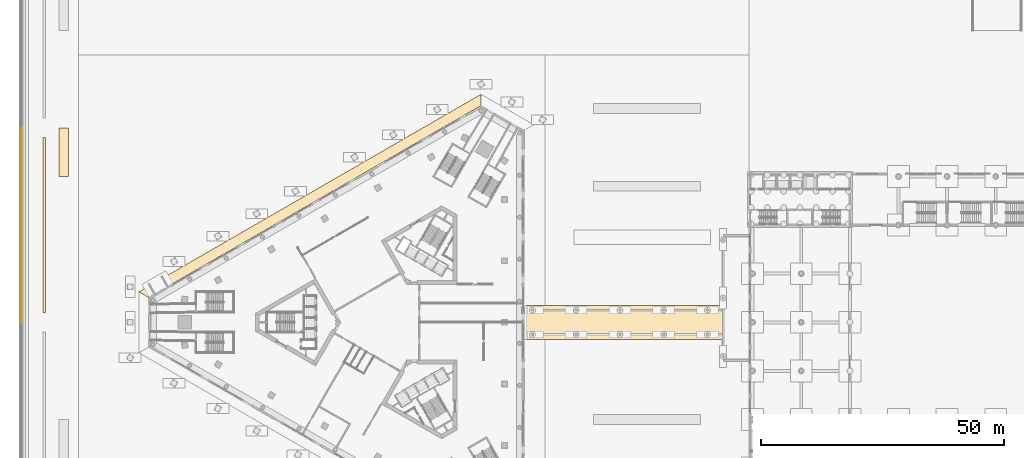
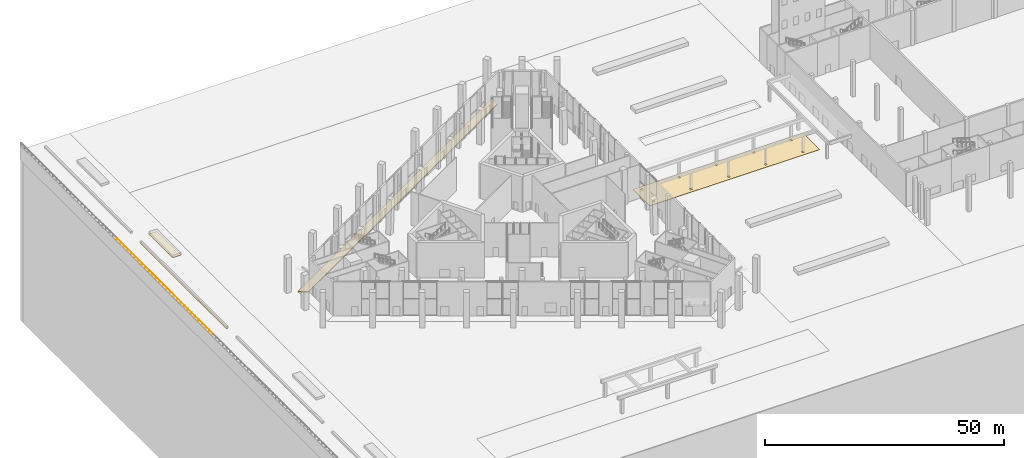
# One storey, part 49 of 63: 4 coverings, 1 railing.
"""IFC4 building model written with IfcOpenShell, lengths in metres."""

from ifc_helpers import new_model, si_unit, direction, frame, origin, origin_2d, place, context, subcontext, project, spatial, polyline, circle, outline, extrude, material, layer, layer_set, type_object, element, save


model = new_model("IFC4")

# Units and contexts
model_context = context("Model", 3, precision=1e-05, world=origin(), true_north=direction((0.0, 1.0)))
body_context = subcontext(model_context, "Body", "Model", "MODEL_VIEW")
ifc_project = project(units=[si_unit("LENGTHUNIT", "METRE"), si_unit("AREAUNIT", "SQUARE_METRE"), si_unit("VOLUMEUNIT", "CUBIC_METRE"), si_unit("PLANEANGLEUNIT", "RADIAN"), si_unit("MASSUNIT", "GRAM", prefix="KILO")], contexts=[model_context])

# Site, building, storey
site_placement = place(None, origin())
site = spatial("IfcSite", under=ifc_project, at=site_placement, CompositionType="ELEMENT")
building_placement = place(site_placement, origin())
building = spatial("IfcBuilding", under=site, at=building_placement, Name="Jabali Bay Hotel Tower and Convention Centre", CompositionType="ELEMENT")
storey_placement = place(building_placement, origin())
storey = spatial("IfcBuildingStorey", under=building, at=storey_placement, Name="L00", CompositionType="ELEMENT", Elevation=0.0)

# Covering
ifc_material_1 = material(Name="Precast concrete paving flags", Category="concrete")
ifc_layer_1 = layer(ifc_material_1, 0.199951171875)
ifc_layer_set_1 = layer_set([ifc_layer_1], Name="Precast concrete paving flags")
covering_type_1 = type_object("IfcCoveringType", Name="Podium apron paving 200", PredefinedType="USERDEFINED", material=ifc_layer_set_1)
covering_1_placement = place(storey_placement, frame((0.0, 0.0, -0.199951171875)))
element("IfcCovering", 1, at=covering_1_placement, inside=storey, type_object=covering_type_1, Name="Apron paving north-west face", ObjectType="PAVING", PredefinedType="USERDEFINED", context=body_context, shape_type="SweptSolid", body=[
    extrude(outline(polyline([(94.83984375, 124.594482421875), (26.460205078125, 85.115478515625), (24.460205078125, 86.270263671875), (94.83984375, 126.90380859375), (94.83984375, 124.594482421875)])), origin(), (0.0, 0.0, 1.0), 0.199951171875),
])

# Railing
ifc_material_2 = material(Name="Stainless steel 304", Category="steel")
railing_type = type_object("IfcRailingType", Name="Quay Railing 450", PredefinedType="GUARDRAIL", material=ifc_material_2)
railing_placement = place(storey_placement, frame((0.35009765625, 80.0, 1.10009765625)))
element("IfcRailing", 2, at=railing_placement, inside=storey, type_object=railing_type, Name="Quay railing 3", PredefinedType="GUARDRAIL", context=body_context, shape_type="SweptSolid", body=[
    extrude(circle(Radius=0.02490234375, at=origin_2d()), frame((0.0, 0.0, 0.4248046875), z_axis=(0.0, 1.0, 0.0), x_axis=(-1.0, 0.0, 0.0)), (0.0, 0.0, 1.0), 40.0),
    extrude(circle(Radius=0.02490234375, at=origin_2d()), origin(), (0.0, 0.0, 1.0), 0.39990234375),
    extrude(circle(Radius=0.02490234375, at=origin_2d()), frame((0.0, 1.4814453125, 0.0)), (0.0, 0.0, 1.0), 0.39990234375),
    extrude(circle(Radius=0.02490234375, at=origin_2d()), frame((0.0, 2.962890625, 0.0)), (0.0, 0.0, 1.0), 0.39990234375),
    extrude(circle(Radius=0.02490234375, at=origin_2d()), frame((0.0, 4.4443359375, 0.0)), (0.0, 0.0, 1.0), 0.39990234375),
    extrude(circle(Radius=0.02490234375, at=origin_2d()), frame((0.0, 5.926025390625, 0.0)), (0.0, 0.0, 1.0), 0.39990234375),
    extrude(circle(Radius=0.02490234375, at=origin_2d()), frame((0.0, 7.407470703125, 0.0)), (0.0, 0.0, 1.0), 0.39990234375),
    extrude(circle(Radius=0.02490234375, at=origin_2d()), frame((0.0, 8.888916015625, 0.0)), (0.0, 0.0, 1.0), 0.39990234375),
    extrude(circle(Radius=0.02490234375, at=origin_2d()), frame((0.0, 10.370361328125, 0.0)), (0.0, 0.0, 1.0), 0.39990234375),
    extrude(circle(Radius=0.02490234375, at=origin_2d()), frame((0.0, 11.851806640625, 0.0)), (0.0, 0.0, 1.0), 0.39990234375),
    extrude(circle(Radius=0.02490234375, at=origin_2d()), frame((0.0, 13.333251953125, 0.0)), (0.0, 0.0, 1.0), 0.39990234375),
    extrude(circle(Radius=0.02490234375, at=origin_2d()), frame((0.0, 14.814697265625, 0.0)), (0.0, 0.0, 1.0), 0.39990234375),
    extrude(circle(Radius=0.02490234375, at=origin_2d()), frame((0.0, 16.29638671875, 0.0)), (0.0, 0.0, 1.0), 0.39990234375),
    extrude(circle(Radius=0.02490234375, at=origin_2d()), frame((0.0, 17.77783203125, 0.0)), (0.0, 0.0, 1.0), 0.39990234375),
    extrude(circle(Radius=0.02490234375, at=origin_2d()), frame((0.0, 19.25927734375, 0.0)), (0.0, 0.0, 1.0), 0.39990234375),
    extrude(circle(Radius=0.02490234375, at=origin_2d()), frame((0.0, 20.74072265625, 0.0)), (0.0, 0.0, 1.0), 0.39990234375),
    extrude(circle(Radius=0.02490234375, at=origin_2d()), frame((0.0, 22.22216796875, 0.0)), (0.0, 0.0, 1.0), 0.39990234375),
    extrude(circle(Radius=0.02490234375, at=origin_2d()), frame((0.0, 23.70361328125, 0.0)), (0.0, 0.0, 1.0), 0.39990234375),
    extrude(circle(Radius=0.02490234375, at=origin_2d()), frame((0.0, 25.185302734375, 0.0)), (0.0, 0.0, 1.0), 0.39990234375),
    extrude(circle(Radius=0.02490234375, at=origin_2d()), frame((0.0, 26.666748046875, 0.0)), (0.0, 0.0, 1.0), 0.39990234375),
    extrude(circle(Radius=0.02490234375, at=origin_2d()), frame((0.0, 28.148193359375, 0.0)), (0.0, 0.0, 1.0), 0.39990234375),
    extrude(circle(Radius=0.02490234375, at=origin_2d()), frame((0.0, 29.629638671875, 0.0)), (0.0, 0.0, 1.0), 0.39990234375),
    extrude(circle(Radius=0.02490234375, at=origin_2d()), frame((0.0, 31.111083984375, 0.0)), (0.0, 0.0, 1.0), 0.39990234375),
    extrude(circle(Radius=0.02490234375, at=origin_2d()), frame((0.0, 32.592529296875, 0.0)), (0.0, 0.0, 1.0), 0.39990234375),
    extrude(circle(Radius=0.02490234375, at=origin_2d()), frame((0.0, 34.073974609375, 0.0)), (0.0, 0.0, 1.0), 0.39990234375),
    extrude(circle(Radius=0.02490234375, at=origin_2d()), frame((0.0, 35.5556640625, 0.0)), (0.0, 0.0, 1.0), 0.39990234375),
    extrude(circle(Radius=0.02490234375, at=origin_2d()), frame((0.0, 37.037109375, 0.0)), (0.0, 0.0, 1.0), 0.39990234375),
    extrude(circle(Radius=0.02490234375, at=origin_2d()), frame((0.0, 38.5185546875, 0.0)), (0.0, 0.0, 1.0), 0.39990234375),
    extrude(circle(Radius=0.02490234375, at=origin_2d()), frame((0.0, 40.0, 0.0)), (0.0, 0.0, 1.0), 0.39990234375),
])

# Coverings
ifc_layer_2 = layer(ifc_material_1, 0.14990234375)
ifc_layer_set_2 = layer_set([ifc_layer_2], Name="Precast concrete paving flags")
covering_type_2 = type_object("IfcCoveringType", Name="SI Paving 150", PredefinedType="USERDEFINED", material=ifc_layer_set_2)
covering_2_placement = place(storey_placement, frame((0.0, 0.0, -0.14990234375)))
element("IfcCovering", 3, at=covering_2_placement, inside=storey, type_object=covering_type_2, Name="SI colonnade paving", ObjectType="PAVING", PredefinedType="USERDEFINED", context=body_context, shape_type="SweptSolid", body=[
    extrude(outline(polyline([(103.800048828125, 76.5), (144.89990234375, 76.5), (144.89990234375, 83.5), (103.800048828125, 83.5), (103.800048828125, 76.5)]), holes=[polyline([(105.175048828125, 77.72509765625), (105.625, 77.72509765625), (105.625, 77.27490234375), (105.175048828125, 77.27490234375), (105.175048828125, 77.72509765625)]), polyline([(114.175048828125, 77.72509765625), (114.625, 77.72509765625), (114.625, 77.27490234375), (114.175048828125, 77.27490234375), (114.175048828125, 77.72509765625)]), polyline([(123.175048828125, 77.72509765625), (123.625, 77.72509765625), (123.625, 77.27490234375), (123.175048828125, 77.27490234375), (123.175048828125, 77.72509765625)]), polyline([(132.625, 77.72509765625), (132.625, 77.27490234375), (132.175048828125, 77.27490234375), (132.175048828125, 77.72509765625), (132.625, 77.72509765625)]), polyline([(141.625, 77.72509765625), (141.625, 77.27490234375), (141.175048828125, 77.27490234375), (141.175048828125, 77.72509765625), (141.625, 77.72509765625)]), polyline([(105.175048828125, 82.72509765625), (105.625, 82.72509765625), (105.625, 82.27490234375), (105.175048828125, 82.27490234375), (105.175048828125, 82.72509765625)]), polyline([(114.175048828125, 82.72509765625), (114.625, 82.72509765625), (114.625, 82.27490234375), (114.175048828125, 82.27490234375), (114.175048828125, 82.72509765625)]), polyline([(123.175048828125, 82.72509765625), (123.625, 82.72509765625), (123.625, 82.27490234375), (123.175048828125, 82.27490234375), (123.175048828125, 82.72509765625)]), polyline([(132.625, 82.72509765625), (132.625, 82.27490234375), (132.175048828125, 82.27490234375), (132.175048828125, 82.72509765625), (132.625, 82.72509765625)]), polyline([(141.625, 82.72509765625), (141.625, 82.27490234375), (141.175048828125, 82.27490234375), (141.175048828125, 82.72509765625), (141.625, 82.72509765625)])]), origin(), (0.0, 0.0, 1.0), 0.14990234375),
])
covering_3_placement = place(storey_placement, frame((0.0, 0.0, -0.14990234375)))
element("IfcCovering", 4, at=covering_3_placement, inside=storey, type_object=covering_type_2, Name="SI site paving 7", ObjectType="PAVING", PredefinedType="USERDEFINED", context=body_context, shape_type="SweptSolid", body=[
    extrude(outline(polyline([(10.0, 110.01806640625), (10.0, 110.02001953125), (10.0, 119.97998046875), (10.0, 119.98193359375), (9.99951171875, 119.98388671875), (9.9990234375, 119.98583984375), (9.99853515625, 119.987548828125), (9.99755859375, 119.989501953125), (9.99658203125, 119.9912109375), (9.995361328125, 119.99267578125), (9.994140625, 119.994140625), (9.99267578125, 119.995361328125), (9.9912109375, 119.99658203125), (9.989501953125, 119.99755859375), (9.987548828125, 119.99853515625), (9.98583984375, 119.9990234375), (9.98388671875, 119.99951171875), (9.98193359375, 120.0), (9.97998046875, 120.0), (8.02001953125, 120.0), (8.01806640625, 120.0), (8.01611328125, 119.99951171875), (8.01416015625, 119.9990234375), (8.012451171875, 119.99853515625), (8.010498046875, 119.99755859375), (8.0087890625, 119.99658203125), (8.00732421875, 119.995361328125), (8.005859375, 119.994140625), (8.004638671875, 119.99267578125), (8.00341796875, 119.9912109375), (8.00244140625, 119.989501953125), (8.00146484375, 119.987548828125), (8.0009765625, 119.98583984375), (8.00048828125, 119.98388671875), (8.0, 119.98193359375), (8.0, 119.97998046875), (8.0, 110.02001953125), (8.0, 110.01806640625), (8.00048828125, 110.01611328125), (8.0009765625, 110.01416015625), (8.00146484375, 110.012451171875), (8.00244140625, 110.010498046875), (8.00341796875, 110.0087890625), (8.004638671875, 110.00732421875), (8.005859375, 110.005859375), (8.00732421875, 110.004638671875), (8.0087890625, 110.00341796875), (8.010498046875, 110.00244140625), (8.012451171875, 110.00146484375), (8.01416015625, 110.0009765625), (8.01611328125, 110.00048828125), (8.01806640625, 110.0), (8.02001953125, 110.0), (9.97998046875, 110.0), (9.98193359375, 110.0), (9.98388671875, 110.00048828125), (9.98583984375, 110.0009765625), (9.987548828125, 110.00146484375), (9.989501953125, 110.00244140625), (9.9912109375, 110.00341796875), (9.99267578125, 110.004638671875), (9.994140625, 110.005859375), (9.995361328125, 110.00732421875), (9.99658203125, 110.0087890625), (9.99755859375, 110.010498046875), (9.99853515625, 110.012451171875), (9.9990234375, 110.01416015625), (9.99951171875, 110.01611328125), (10.0, 110.01806640625)])), origin(), (0.0, 0.0, 1.0), 0.14990234375),
])
covering_4_placement = place(storey_placement, frame((0.0, 0.0, -0.14990234375)))
element("IfcCovering", 5, at=covering_4_placement, inside=storey, type_object=covering_type_2, Name="SI site paving 12", ObjectType="PAVING", PredefinedType="USERDEFINED", context=body_context, shape_type="SweptSolid", body=[
    extrude(outline(polyline([(5.224853515625, 82.01806640625), (5.22509765625, 82.02001953125), (5.22509765625, 117.97998046875), (5.224853515625, 117.98193359375), (5.224609375, 117.98388671875), (5.22412109375, 117.98583984375), (5.223388671875, 117.987548828125), (5.22265625, 117.989501953125), (5.2216796875, 117.9912109375), (5.220458984375, 117.99267578125), (5.21923828125, 117.994140625), (5.2177734375, 117.995361328125), (5.216064453125, 117.99658203125), (5.21435546875, 117.99755859375), (5.212646484375, 117.99853515625), (5.210693359375, 117.9990234375), (5.208984375, 117.99951171875), (5.20703125, 118.0), (5.205078125, 118.0), (4.794921875, 118.0), (4.79296875, 118.0), (4.791015625, 117.99951171875), (4.789306640625, 117.9990234375), (4.787353515625, 117.99853515625), (4.78564453125, 117.99755859375), (4.783935546875, 117.99658203125), (4.7822265625, 117.995361328125), (4.78076171875, 117.994140625), (4.779541015625, 117.99267578125), (4.7783203125, 117.9912109375), (4.77734375, 117.989501953125), (4.776611328125, 117.987548828125), (4.77587890625, 117.98583984375), (4.775390625, 117.98388671875), (4.775146484375, 117.98193359375), (4.77490234375, 117.97998046875), (4.77490234375, 82.02001953125), (4.775146484375, 82.01806640625), (4.775390625, 82.01611328125), (4.77587890625, 82.01416015625), (4.776611328125, 82.012451171875), (4.77734375, 82.010498046875), (4.7783203125, 82.0087890625), (4.779541015625, 82.00732421875), (4.78076171875, 82.005859375), (4.7822265625, 82.004638671875), (4.783935546875, 82.00341796875), (4.78564453125, 82.00244140625), (4.787353515625, 82.00146484375), (4.789306640625, 82.0009765625), (4.791015625, 82.00048828125), (4.79296875, 82.0), (4.794921875, 82.0), (5.205078125, 82.0), (5.20703125, 82.0), (5.208984375, 82.00048828125), (5.210693359375, 82.0009765625), (5.212646484375, 82.00146484375), (5.21435546875, 82.00244140625), (5.216064453125, 82.00341796875), (5.2177734375, 82.004638671875), (5.21923828125, 82.005859375), (5.220458984375, 82.00732421875), (5.2216796875, 82.0087890625), (5.22265625, 82.010498046875), (5.223388671875, 82.012451171875), (5.22412109375, 82.01416015625), (5.224609375, 82.01611328125), (5.224853515625, 82.01806640625)])), origin(), (0.0, 0.0, 1.0), 0.14990234375),
])

save(model, "model.ifc")
